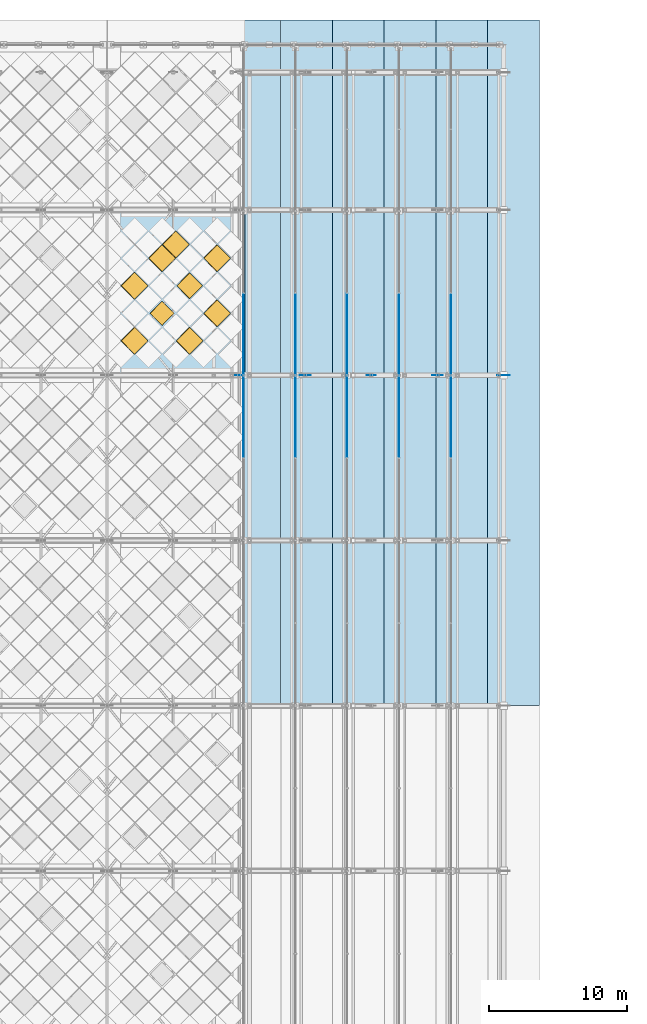
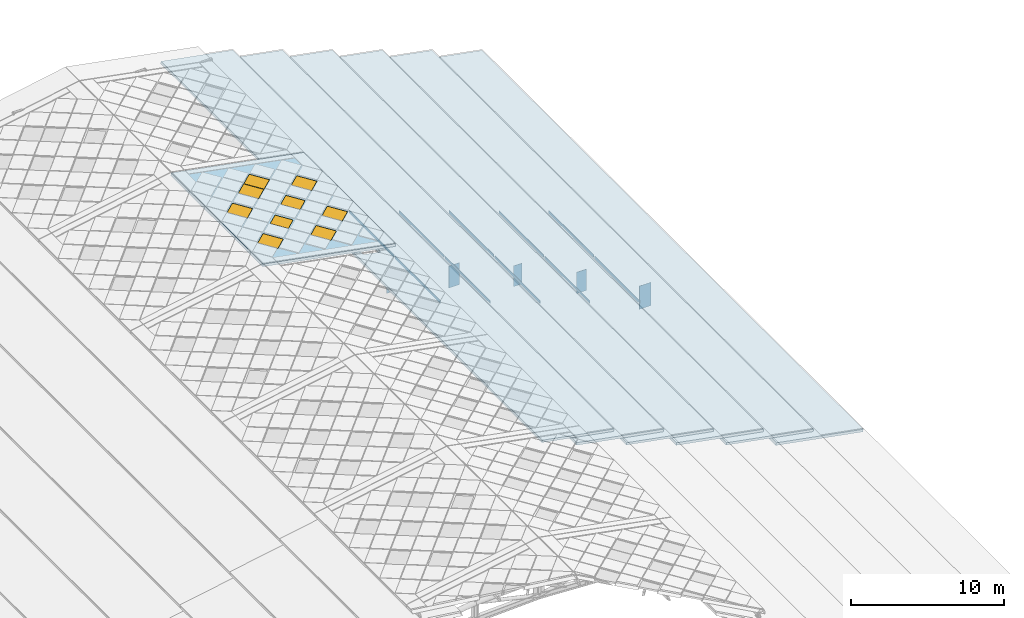
# One storey, part 96 of 117: 15 plates, 9 windows, 7 slabs, 9 openings, 10 elements without a shape of their own.
"""IFC4 building model written with IfcOpenShell, lengths in metres."""

from ifc_helpers import new_model, si_unit, direction, frame, origin, origin_2d, place, context, subcontext, project, spatial, polyline, rectangle, outline, extrude, material, layer, layer_set, type_object, element, fill, aggregate, save


model = new_model("IFC4")

# Units and contexts
model_context = context("Model", 3, precision=1e-05, world=origin(), true_north=direction((0.0, 1.0)))
body_context = subcontext(model_context, "Body", "Model", "MODEL_VIEW")
ifc_project = project(units=[si_unit("LENGTHUNIT", "METRE"), si_unit("AREAUNIT", "SQUARE_METRE"), si_unit("VOLUMEUNIT", "CUBIC_METRE"), si_unit("PLANEANGLEUNIT", "RADIAN"), si_unit("MASSUNIT", "GRAM", prefix="KILO")], contexts=[model_context])

# Site, building, storey
site_placement = place(None, origin())
site = spatial("IfcSite", under=ifc_project, at=site_placement, CompositionType="ELEMENT")
building_placement = place(site_placement, origin())
building = spatial("IfcBuilding", under=site, at=building_placement, Name="Merenkruunu Market Hall", CompositionType="ELEMENT")
storey_placement = place(building_placement, frame((0.0, 0.0, 22.800048828125)))
storey = spatial("IfcBuildingStorey", under=building, at=storey_placement, Name="RF", CompositionType="ELEMENT", Elevation=22.800048828125)

# Curtain wall, plate
ifc_material_1 = material(Name="Powder-coated aluminium", Category="aluminium")
curtain_wall_type = type_object("IfcCurtainWallType", Name="Clerestory Curtain Band CL05", PredefinedType="USERDEFINED", material=ifc_material_1)
curtain_wall_1_placement = place(storey_placement, origin())
curtain_wall_1 = element("IfcCurtainWall", 1, at=curtain_wall_1_placement, inside=storey, type_object=curtain_wall_type, Name="CW-RF-CWM04-086", ObjectType="CLERESTORY_BAND", PredefinedType="USERDEFINED")
ifc_material_2 = material(Name="Triple low-E insulated glass", Category="glass")
ifc_layer_1 = layer(ifc_material_2, 0.035888671875)
ifc_layer_set_1 = layer_set([ifc_layer_1], Name="Triple low-E insulated glass")
plate_type_1 = type_object("IfcPlateType", Name="Curtain Wall Glazing Panel CWP08", PredefinedType="CURTAIN_PANEL", material=ifc_layer_set_1)
plate_1_placement = place(storey_placement, frame((53.760009765625, 84.58251953125, -6.462158203125), z_axis=(0.0, 0.0, 1.0), x_axis=(0.0, -1.0, 0.0)))
plate_1 = element("IfcPlate", 2, at=plate_1_placement, type_object=plate_type_1, Name="CL05 panel 1.1", PredefinedType="CURTAIN_PANEL", context=body_context, shape_type="SweptSolid", body=[
    extrude(rectangle(XDim=5.89501953125, YDim=0.035888671875, at=origin_2d()), origin(), (0.0, 0.0, 1.0), 0.22802734375),
])
aggregate(curtain_wall_1, [plate_1])

curtain_wall_2_placement = place(storey_placement, origin())
curtain_wall_2 = element("IfcCurtainWall", 3, at=curtain_wall_2_placement, inside=storey, type_object=curtain_wall_type, Name="CW-RF-CWM04-088", ObjectType="CLERESTORY_BAND", PredefinedType="USERDEFINED")
plate_2_placement = place(storey_placement, frame((53.760009765625, 90.592529296875, -6.462158203125), z_axis=(0.0, 0.0, 1.0), x_axis=(0.0, -1.0, 0.0)))
plate_2 = element("IfcPlate", 4, at=plate_2_placement, type_object=plate_type_1, Name="CL05 panel 4.1", PredefinedType="CURTAIN_PANEL", context=body_context, shape_type="SweptSolid", body=[
    extrude(rectangle(XDim=5.844970703125, YDim=0.035888671875, at=origin_2d()), origin(), (0.0, 0.0, 1.0), 0.22802734375),
])
aggregate(curtain_wall_2, [plate_2])

curtain_wall_3_placement = place(storey_placement, origin())
curtain_wall_3 = element("IfcCurtainWall", 5, at=curtain_wall_3_placement, inside=storey, type_object=curtain_wall_type, Name="CW-RF-CWM04-094", ObjectType="CLERESTORY_BAND", PredefinedType="USERDEFINED")
plate_3_placement = place(storey_placement, frame((50.0, 84.58251953125, -5.14208984375), z_axis=(0.0, 0.0, 1.0), x_axis=(0.0, -1.0, 0.0)))
plate_3 = element("IfcPlate", 6, at=plate_3_placement, type_object=plate_type_1, Name="CL05 panel 1.1", PredefinedType="CURTAIN_PANEL", context=body_context, shape_type="SweptSolid", body=[
    extrude(rectangle(XDim=5.89501953125, YDim=0.035888671875, at=origin_2d()), origin(), (0.0, 0.0, 1.0), 0.20703125),
])
aggregate(curtain_wall_3, [plate_3])

curtain_wall_4_placement = place(storey_placement, origin())
curtain_wall_4 = element("IfcCurtainWall", 7, at=curtain_wall_4_placement, inside=storey, type_object=curtain_wall_type, Name="CW-RF-CWM04-096", ObjectType="CLERESTORY_BAND", PredefinedType="USERDEFINED")
plate_4_placement = place(storey_placement, frame((50.0, 90.592529296875, -5.14208984375), z_axis=(0.0, 0.0, 1.0), x_axis=(0.0, -1.0, 0.0)))
plate_4 = element("IfcPlate", 8, at=plate_4_placement, type_object=plate_type_1, Name="CL05 panel 4.1", PredefinedType="CURTAIN_PANEL", context=body_context, shape_type="SweptSolid", body=[
    extrude(rectangle(XDim=5.844970703125, YDim=0.035888671875, at=origin_2d()), origin(), (0.0, 0.0, 1.0), 0.20703125),
])
aggregate(curtain_wall_4, [plate_4])

curtain_wall_5_placement = place(storey_placement, origin())
curtain_wall_5 = element("IfcCurtainWall", 9, at=curtain_wall_5_placement, inside=storey, type_object=curtain_wall_type, Name="CW-RF-CWM04-102", ObjectType="CLERESTORY_BAND", PredefinedType="USERDEFINED")
plate_5_placement = place(storey_placement, frame((46.239990234375, 84.58251953125, -3.822021484375), z_axis=(0.0, 0.0, 1.0), x_axis=(0.0, -1.0, 0.0)))
plate_5 = element("IfcPlate", 10, at=plate_5_placement, type_object=plate_type_1, Name="CL05 panel 1.1", PredefinedType="CURTAIN_PANEL", context=body_context, shape_type="SweptSolid", body=[
    extrude(rectangle(XDim=5.89501953125, YDim=0.035888671875, at=origin_2d()), origin(), (0.0, 0.0, 1.0), 0.22802734375),
])
aggregate(curtain_wall_5, [plate_5])

curtain_wall_6_placement = place(storey_placement, origin())
curtain_wall_6 = element("IfcCurtainWall", 11, at=curtain_wall_6_placement, inside=storey, type_object=curtain_wall_type, Name="CW-RF-CWM04-104", ObjectType="CLERESTORY_BAND", PredefinedType="USERDEFINED")
plate_6_placement = place(storey_placement, frame((46.239990234375, 90.592529296875, -3.822021484375), z_axis=(0.0, 0.0, 1.0), x_axis=(0.0, -1.0, 0.0)))
plate_6 = element("IfcPlate", 12, at=plate_6_placement, type_object=plate_type_1, Name="CL05 panel 4.1", PredefinedType="CURTAIN_PANEL", context=body_context, shape_type="SweptSolid", body=[
    extrude(rectangle(XDim=5.844970703125, YDim=0.035888671875, at=origin_2d()), origin(), (0.0, 0.0, 1.0), 0.22802734375),
])
aggregate(curtain_wall_6, [plate_6])

curtain_wall_7_placement = place(storey_placement, origin())
curtain_wall_7 = element("IfcCurtainWall", 13, at=curtain_wall_7_placement, inside=storey, type_object=curtain_wall_type, Name="CW-RF-CWM04-110", ObjectType="CLERESTORY_BAND", PredefinedType="USERDEFINED")
plate_7_placement = place(storey_placement, frame((42.47998046875, 84.58251953125, -2.501953125), z_axis=(0.0, 0.0, 1.0), x_axis=(0.0, -1.0, 0.0)))
plate_7 = element("IfcPlate", 14, at=plate_7_placement, type_object=plate_type_1, Name="CL05 panel 1.1", PredefinedType="CURTAIN_PANEL", context=body_context, shape_type="SweptSolid", body=[
    extrude(rectangle(XDim=5.89501953125, YDim=0.035888671875, at=origin_2d()), origin(), (0.0, 0.0, 1.0), 0.20703125),
])
aggregate(curtain_wall_7, [plate_7])

curtain_wall_8_placement = place(storey_placement, origin())
curtain_wall_8 = element("IfcCurtainWall", 15, at=curtain_wall_8_placement, inside=storey, type_object=curtain_wall_type, Name="CW-RF-CWM04-112", ObjectType="CLERESTORY_BAND", PredefinedType="USERDEFINED")
plate_8_placement = place(storey_placement, frame((42.47998046875, 90.592529296875, -2.501953125), z_axis=(0.0, 0.0, 1.0), x_axis=(0.0, -1.0, 0.0)))
plate_8 = element("IfcPlate", 16, at=plate_8_placement, type_object=plate_type_1, Name="CL05 panel 4.1", PredefinedType="CURTAIN_PANEL", context=body_context, shape_type="SweptSolid", body=[
    extrude(rectangle(XDim=5.844970703125, YDim=0.035888671875, at=origin_2d()), origin(), (0.0, 0.0, 1.0), 0.20703125),
])
aggregate(curtain_wall_8, [plate_8])

curtain_wall_9_placement = place(storey_placement, origin())
curtain_wall_9 = element("IfcCurtainWall", 17, at=curtain_wall_9_placement, inside=storey, type_object=curtain_wall_type, Name="CW-RF-CWM04-118", ObjectType="CLERESTORY_BAND", PredefinedType="USERDEFINED")
plate_9_placement = place(storey_placement, frame((38.719970703125, 84.58251953125, -1.18212890625), z_axis=(0.0, 0.0, 1.0), x_axis=(0.0, -1.0, 0.0)))
plate_9 = element("IfcPlate", 18, at=plate_9_placement, type_object=plate_type_1, Name="CL05 panel 1.1", PredefinedType="CURTAIN_PANEL", context=body_context, shape_type="SweptSolid", body=[
    extrude(rectangle(XDim=5.89501953125, YDim=0.035888671875, at=origin_2d()), origin(), (0.0, 0.0, 1.0), 0.22802734375),
])
aggregate(curtain_wall_9, [plate_9])

curtain_wall_10_placement = place(storey_placement, origin())
curtain_wall_10 = element("IfcCurtainWall", 19, at=curtain_wall_10_placement, inside=storey, type_object=curtain_wall_type, Name="CW-RF-CWM04-120", ObjectType="CLERESTORY_BAND", PredefinedType="USERDEFINED")
plate_10_placement = place(storey_placement, frame((38.719970703125, 90.592529296875, -1.18212890625), z_axis=(0.0, 0.0, 1.0), x_axis=(0.0, -1.0, 0.0)))
plate_10 = element("IfcPlate", 20, at=plate_10_placement, type_object=plate_type_1, Name="CL05 panel 4.1", PredefinedType="CURTAIN_PANEL", context=body_context, shape_type="SweptSolid", body=[
    extrude(rectangle(XDim=5.844970703125, YDim=0.035888671875, at=origin_2d()), origin(), (0.0, 0.0, 1.0), 0.22802734375),
])
aggregate(curtain_wall_10, [plate_10])

# Slabs
ifc_material_3 = material(Name="High-albedo white roof Steel S355ML", Category="steel")
ifc_layer_2 = layer(ifc_material_3, 0.199951171875)
ifc_layer_set_2 = layer_set([ifc_layer_2], Name="High-albedo white roof Steel S355ML")
slab_type_1 = type_object("IfcSlabType", Name="Sloped Or Flat Roof Deck RS01", PredefinedType="ROOF", material=ifc_layer_set_2)
slab_1_placement = place(storey_placement, frame((53.639892578125, 63.60009765625, -6.584228515625), z_axis=(0.182233397966, 0.0, 0.983255301875), x_axis=(0.983255301875, 0.0, -0.182233397966)))
element("IfcSlab", 21, at=slab_1_placement, inside=storey, type_object=slab_type_1, Name="SL-ROOF-V1-TE1-N", PredefinedType="ROOF", context=body_context, shape_type="SweptSolid", body=[
    extrude(outline(polyline([(0.0, 0.0), (6.671775459779865, 0.0), (6.671775459779865, 49.7998046875), (0.0, 49.7998046875), (0.0, 0.0)]), holes=[polyline([(0.5084895791185551, 24.25), (1.830726170836341, 24.25), (1.830726170836341, 25.5498046875), (0.5084895791185551, 25.5498046875), (0.5084895791185551, 24.25)])]), origin(), (0.0, 0.0, -1.0), 0.199951171875),
])
slab_2_placement = place(storey_placement, frame((46.1201171875, 63.60009765625, -3.9443359375), z_axis=(0.182239955012, 0.0, 0.983254086591), x_axis=(0.983254086591, 0.0, -0.182239955012)))
element("IfcSlab", 22, at=slab_2_placement, inside=storey, type_object=slab_type_1, Name="SL-ROOF-V1-TE3-N", PredefinedType="ROOF", context=body_context, shape_type="SweptSolid", body=[
    extrude(outline(polyline([(0.0, 0.0), (6.671535407364279, 0.0), (6.671535407364279, 49.7998046875), (0.0, 49.7998046875), (0.0, 0.0)]), holes=[polyline([(0.5084895781951198, 24.25), (1.8304416271710706, 24.25), (1.8304416271710706, 25.5498046875), (0.5084895781951198, 25.5498046875), (0.5084895781951198, 24.25)])]), origin(), (0.0, 0.0, -1.0), 0.199951171875),
])
slab_3_placement = place(storey_placement, frame((38.60009765625, 63.60009765625, -1.30419921875), z_axis=(0.182239955012, 0.0, 0.983254086591), x_axis=(0.983254086591, 0.0, -0.182239955012)))
element("IfcSlab", 23, at=slab_3_placement, inside=storey, type_object=slab_type_1, Name="SL-ROOF-V1-TE5-N", PredefinedType="ROOF", context=body_context, shape_type="SweptSolid", body=[
    extrude(outline(polyline([(0.0, 0.0), (6.671535407364279, 0.0), (6.671535407364279, 49.7998046875), (0.0, 49.7998046875), (0.0, 0.0)]), holes=[polyline([(0.5084895781951198, 24.25), (1.8304861193475872, 24.25), (1.8304861193475872, 25.5498046875), (0.5084895781951198, 25.5498046875), (0.5084895781951198, 24.25)])]), origin(), (0.0, 0.0, -1.0), 0.199951171875),
])

# Slab, openings, windows
slab_4_placement = place(storey_placement, frame((28.800048828125, 87.60009765625, 1.800048828125), z_axis=(0.184775267092, 0.0, 0.98278079991), x_axis=(0.98278079991, 0.0, -0.184775267092)))
slab_4 = element("IfcSlab", 24, at=slab_4_placement, inside=storey, type_object=slab_type_1, Name="SL-ROOF-V1-CROWN-E-07", PredefinedType="ROOF", context=body_context, shape_type="SweptSolid", body=[
    extrude(outline(polyline([(0.0, 0.0), (10.175208959027184, 0.0), (10.175208959027184, 12.0), (0.0, 12.0), (0.0, 0.0)])), origin(), (0.0, 0.0, -1.0), 0.199951171875),
])
opening_1_placement = place(slab_4_placement, frame((2.034912109375, 2.5, 0.0), z_axis=(0.0, 0.0, 1.0), x_axis=(0.707106781187, 0.707106781187, 0.0)))
opening_1 = element("IfcOpeningElement", 25, at=opening_1_placement, cuts=slab_4, Name="Opening SK01", PredefinedType="OPENING", context=body_context, shape_type="SweptSolid", body=[
    extrude(rectangle(XDim=1.3798828125, YDim=1.3798828125, at=origin_2d()), frame((0.0, 0.0, 0.014892578125), z_axis=(0.0, 0.0, -1.0), x_axis=(1.0, 0.0, 0.0)), (0.0, 0.0, 1.0), 0.229736328125),
])
opening_2_placement = place(slab_4_placement, frame((2.034912109375, 6.5, 0.0), z_axis=(0.0, 0.0, 1.0), x_axis=(0.707106781187, 0.707106781187, 0.0)))
opening_2 = element("IfcOpeningElement", 26, at=opening_2_placement, cuts=slab_4, Name="Opening SK01", PredefinedType="OPENING", context=body_context, shape_type="SweptSolid", body=[
    extrude(rectangle(XDim=1.3798828125, YDim=1.3798828125, at=origin_2d()), frame((0.0, 0.0, 0.014892578125), z_axis=(0.0, 0.0, -1.0), x_axis=(1.0, 0.0, 0.0)), (0.0, 0.0, 1.0), 0.229736328125),
])
opening_3_placement = place(slab_4_placement, frame((4.070068359375, 4.5, -0.000244140625), z_axis=(0.0, 0.0, 1.0), x_axis=(0.707106781187, 0.707106781187, 0.0)))
opening_3 = element("IfcOpeningElement", 27, at=opening_3_placement, cuts=slab_4, Name="Opening SK03", PredefinedType="OPENING", context=body_context, shape_type="SweptSolid", body=[
    extrude(rectangle(XDim=1.239990234375, YDim=1.239990234375, at=origin_2d()), frame((0.0, 0.0, 0.014892578125), z_axis=(0.0, 0.0, -1.0), x_axis=(1.0, 0.0, 0.0)), (0.0, 0.0, 1.0), 0.229736328125),
])
opening_4_placement = place(slab_4_placement, frame((4.070068359375, 8.5, -0.000244140625), z_axis=(0.0, 0.0, 1.0), x_axis=(0.707106781187, 0.707106781187, 0.0)))
opening_4 = element("IfcOpeningElement", 28, at=opening_4_placement, cuts=slab_4, Name="Opening SK01", PredefinedType="OPENING", context=body_context, shape_type="SweptSolid", body=[
    extrude(rectangle(XDim=1.3798828125, YDim=1.3798828125, at=origin_2d()), frame((0.0, 0.0, 0.014892578125), z_axis=(0.0, 0.0, -1.0), x_axis=(1.0, 0.0, 0.0)), (0.0, 0.0, 1.0), 0.229736328125),
])
opening_5_placement = place(slab_4_placement, frame((5.087646484375, 9.5, 0.0), z_axis=(0.0, 0.0, 1.0), x_axis=(0.707106781187, 0.707106781187, 0.0)))
opening_5 = element("IfcOpeningElement", 29, at=opening_5_placement, cuts=slab_4, Name="Opening SK01", PredefinedType="OPENING", context=body_context, shape_type="SweptSolid", body=[
    extrude(rectangle(XDim=1.3798828125, YDim=1.3798828125, at=origin_2d()), frame((0.0, 0.0, 0.014892578125), z_axis=(0.0, 0.0, -1.0), x_axis=(1.0, 0.0, 0.0)), (0.0, 0.0, 1.0), 0.229736328125),
])
opening_6_placement = place(slab_4_placement, frame((6.105224609375, 2.5, 0.0), z_axis=(0.0, 0.0, 1.0), x_axis=(0.707106781187, 0.707106781187, 0.0)))
opening_6 = element("IfcOpeningElement", 30, at=opening_6_placement, cuts=slab_4, Name="Opening SK01", PredefinedType="OPENING", context=body_context, shape_type="SweptSolid", body=[
    extrude(rectangle(XDim=1.3798828125, YDim=1.3798828125, at=origin_2d()), frame((0.0, 0.0, 0.014892578125), z_axis=(0.0, 0.0, -1.0), x_axis=(1.0, 0.0, 0.0)), (0.0, 0.0, 1.0), 0.229736328125),
])
opening_7_placement = place(slab_4_placement, frame((6.105224609375, 6.5, 0.0), z_axis=(0.0, 0.0, 1.0), x_axis=(0.707106781187, 0.707106781187, 0.0)))
opening_7 = element("IfcOpeningElement", 31, at=opening_7_placement, cuts=slab_4, Name="Opening SK02", PredefinedType="OPENING", context=body_context, shape_type="SweptSolid", body=[
    extrude(rectangle(XDim=1.320068359375, YDim=1.320068359375, at=origin_2d()), frame((0.0, 0.0, 0.014892578125), z_axis=(0.0, 0.0, -1.0), x_axis=(1.0, 0.0, 0.0)), (0.0, 0.0, 1.0), 0.229736328125),
])
opening_8_placement = place(slab_4_placement, frame((8.14013671875, 4.5, 0.0), z_axis=(0.0, 0.0, 1.0), x_axis=(0.707106781187, 0.707106781187, 0.0)))
opening_8 = element("IfcOpeningElement", 32, at=opening_8_placement, cuts=slab_4, Name="Opening SK01", PredefinedType="OPENING", context=body_context, shape_type="SweptSolid", body=[
    extrude(rectangle(XDim=1.3798828125, YDim=1.3798828125, at=origin_2d()), frame((0.0, 0.0, 0.014892578125), z_axis=(0.0, 0.0, -1.0), x_axis=(1.0, 0.0, 0.0)), (0.0, 0.0, 1.0), 0.229736328125),
])
opening_9_placement = place(slab_4_placement, frame((8.14013671875, 8.5, 0.0), z_axis=(0.0, 0.0, 1.0), x_axis=(0.707106781187, 0.707106781187, 0.0)))
opening_9 = element("IfcOpeningElement", 33, at=opening_9_placement, cuts=slab_4, Name="Opening SK01", PredefinedType="OPENING", context=body_context, shape_type="SweptSolid", body=[
    extrude(rectangle(XDim=1.3798828125, YDim=1.3798828125, at=origin_2d()), frame((0.0, 0.0, 0.014892578125), z_axis=(0.0, 0.0, -1.0), x_axis=(1.0, 0.0, 0.0)), (0.0, 0.0, 1.0), 0.229736328125),
])
ifc_material_4 = material(Name="Diamond skylight blue triple glass", Category="glass")
ifc_layer_3 = layer(ifc_material_4, 0.094970703125)
ifc_layer_set_3 = layer_set([ifc_layer_3], Name="Diamond skylight blue triple glass")
window_type_1 = type_object("IfcWindowType", Name="Diamond Roof Skylight SK01", PartitioningType="SINGLE_PANEL", PredefinedType="SKYLIGHT", material=ifc_layer_set_3)
window_1_placement = place(opening_1_placement, origin())
window_1 = element("IfcWindow", 34, at=window_1_placement, inside=storey, type_object=window_type_1, Name="SKY-CROWN-118", OverallHeight=1.3798828125, OverallWidth=1.3798828125, PartitioningType="SINGLE_PANEL", PredefinedType="SKYLIGHT", context=body_context, shape_type="SweptSolid", body=[
    extrude(rectangle(XDim=1.3798828125, YDim=1.3798828125, at=origin_2d()), frame((0.0, 0.0, 0.0), z_axis=(0.0, 0.0, -1.0), x_axis=(1.0, 0.0, 0.0)), (0.0, 0.0, 1.0), 0.094970703125),
])
fill(opening_1, window_1)
window_2_placement = place(opening_2_placement, origin())
window_2 = element("IfcWindow", 35, at=window_2_placement, inside=storey, type_object=window_type_1, Name="SKY-CROWN-119", OverallHeight=1.3798828125, OverallWidth=1.3798828125, PartitioningType="SINGLE_PANEL", PredefinedType="SKYLIGHT", context=body_context, shape_type="SweptSolid", body=[
    extrude(rectangle(XDim=1.3798828125, YDim=1.3798828125, at=origin_2d()), frame((0.0, 0.0, 0.0), z_axis=(0.0, 0.0, -1.0), x_axis=(1.0, 0.0, 0.0)), (0.0, 0.0, 1.0), 0.094970703125),
])
fill(opening_2, window_2)
window_3_placement = place(opening_4_placement, origin())
window_3 = element("IfcWindow", 36, at=window_3_placement, inside=storey, type_object=window_type_1, Name="SKY-CROWN-121", OverallHeight=1.3798828125, OverallWidth=1.3798828125, PartitioningType="SINGLE_PANEL", PredefinedType="SKYLIGHT", context=body_context, shape_type="SweptSolid", body=[
    extrude(rectangle(XDim=1.3798828125, YDim=1.3798828125, at=origin_2d()), frame((0.0, 0.0, 0.0), z_axis=(0.0, 0.0, -1.0), x_axis=(1.0, 0.0, 0.0)), (0.0, 0.0, 1.0), 0.094970703125),
])
fill(opening_4, window_3)
window_4_placement = place(opening_5_placement, origin())
window_4 = element("IfcWindow", 37, at=window_4_placement, inside=storey, type_object=window_type_1, Name="SKY-CROWN-122", OverallHeight=1.3798828125, OverallWidth=1.3798828125, PartitioningType="SINGLE_PANEL", PredefinedType="SKYLIGHT", context=body_context, shape_type="SweptSolid", body=[
    extrude(rectangle(XDim=1.3798828125, YDim=1.3798828125, at=origin_2d()), frame((0.0, 0.0, 0.0), z_axis=(0.0, 0.0, -1.0), x_axis=(1.0, 0.0, 0.0)), (0.0, 0.0, 1.0), 0.094970703125),
])
fill(opening_5, window_4)
window_5_placement = place(opening_6_placement, origin())
window_5 = element("IfcWindow", 38, at=window_5_placement, inside=storey, type_object=window_type_1, Name="SKY-CROWN-123", OverallHeight=1.3798828125, OverallWidth=1.3798828125, PartitioningType="SINGLE_PANEL", PredefinedType="SKYLIGHT", context=body_context, shape_type="SweptSolid", body=[
    extrude(rectangle(XDim=1.3798828125, YDim=1.3798828125, at=origin_2d()), frame((0.0, 0.0, 0.0), z_axis=(0.0, 0.0, -1.0), x_axis=(1.0, 0.0, 0.0)), (0.0, 0.0, 1.0), 0.094970703125),
])
fill(opening_6, window_5)
window_6_placement = place(opening_8_placement, origin())
window_6 = element("IfcWindow", 39, at=window_6_placement, inside=storey, type_object=window_type_1, Name="SKY-CROWN-125", OverallHeight=1.3798828125, OverallWidth=1.3798828125, PartitioningType="SINGLE_PANEL", PredefinedType="SKYLIGHT", context=body_context, shape_type="SweptSolid", body=[
    extrude(rectangle(XDim=1.3798828125, YDim=1.3798828125, at=origin_2d()), frame((0.0, 0.0, 0.0), z_axis=(0.0, 0.0, -1.0), x_axis=(1.0, 0.0, 0.0)), (0.0, 0.0, 1.0), 0.094970703125),
])
fill(opening_8, window_6)
window_7_placement = place(opening_9_placement, origin())
window_7 = element("IfcWindow", 40, at=window_7_placement, inside=storey, type_object=window_type_1, Name="SKY-CROWN-126", OverallHeight=1.3798828125, OverallWidth=1.3798828125, PartitioningType="SINGLE_PANEL", PredefinedType="SKYLIGHT", context=body_context, shape_type="SweptSolid", body=[
    extrude(rectangle(XDim=1.3798828125, YDim=1.3798828125, at=origin_2d()), frame((0.0, 0.0, 0.0), z_axis=(0.0, 0.0, -1.0), x_axis=(1.0, 0.0, 0.0)), (0.0, 0.0, 1.0), 0.094970703125),
])
fill(opening_9, window_7)
ifc_layer_4 = layer(ifc_material_4, 0.094970703125)
ifc_layer_set_4 = layer_set([ifc_layer_4], Name="Diamond skylight blue triple glass")
window_type_2 = type_object("IfcWindowType", Name="Diamond Roof Skylight SK02", PartitioningType="SINGLE_PANEL", PredefinedType="SKYLIGHT", material=ifc_layer_set_4)
window_8_placement = place(opening_7_placement, origin())
window_8 = element("IfcWindow", 41, at=window_8_placement, inside=storey, type_object=window_type_2, Name="SKY-CROWN-124", OverallHeight=1.320068359375, OverallWidth=1.320068359375, PartitioningType="SINGLE_PANEL", PredefinedType="SKYLIGHT", context=body_context, shape_type="SweptSolid", body=[
    extrude(rectangle(XDim=1.320068359375, YDim=1.320068359375, at=origin_2d()), frame((0.0, 0.0, 0.0), z_axis=(0.0, 0.0, -1.0), x_axis=(1.0, 0.0, 0.0)), (0.0, 0.0, 1.0), 0.094970703125),
])
fill(opening_7, window_8)
ifc_layer_5 = layer(ifc_material_4, 0.094970703125)
ifc_layer_set_5 = layer_set([ifc_layer_5], Name="Diamond skylight blue triple glass")
window_type_3 = type_object("IfcWindowType", Name="Roof Smoke Vent Skylight SK03", PartitioningType="SINGLE_PANEL", PredefinedType="SKYLIGHT", material=ifc_layer_set_5)
window_9_placement = place(opening_3_placement, origin())
window_9 = element("IfcWindow", 42, at=window_9_placement, inside=storey, type_object=window_type_3, Name="SKY-CROWN-120", OverallHeight=1.239990234375, OverallWidth=1.239990234375, PartitioningType="SINGLE_PANEL", PredefinedType="SKYLIGHT", context=body_context, shape_type="SweptSolid", body=[
    extrude(rectangle(XDim=1.239990234375, YDim=1.239990234375, at=origin_2d()), frame((0.0, 0.0, 0.0), z_axis=(0.0, 0.0, -1.0), x_axis=(1.0, 0.0, 0.0)), (0.0, 0.0, 1.0), 0.094970703125),
])
fill(opening_3, window_9)

# Slabs
ifc_layer_6 = layer(ifc_material_3, 0.179931640625)
ifc_layer_set_6 = layer_set([ifc_layer_6], Name="High-albedo white roof Steel S355ML")
slab_type_2 = type_object("IfcSlabType", Name="Sloped Or Flat Roof Deck RS02", PredefinedType="ROOF", material=ifc_layer_set_6)
slab_5_placement = place(storey_placement, frame((49.8798828125, 63.60009765625, -5.26416015625), z_axis=(0.182233397966, 0.0, 0.983255301875), x_axis=(0.983255301875, 0.0, -0.182233397966)))
element("IfcSlab", 43, at=slab_5_placement, inside=storey, type_object=slab_type_2, Name="SL-ROOF-V1-TE2-N", PredefinedType="ROOF", context=body_context, shape_type="SweptSolid", body=[
    extrude(outline(polyline([(0.0, 0.0), (6.671775459779865, 0.0), (6.671775459779865, 49.7998046875), (0.0, 49.7998046875), (0.0, 0.0)]), holes=[polyline([(0.5085340696942303, 24.25), (1.830726170836341, 24.25), (1.830726170836341, 25.5498046875), (0.5085340696942303, 25.5498046875), (0.5085340696942303, 24.25)])]), origin(), (0.0, 0.0, -1.0), 0.179931640625),
])
slab_6_placement = place(storey_placement, frame((42.360107421875, 63.60009765625, -2.624267578125), z_axis=(0.182239955012, 0.0, 0.983254086591), x_axis=(0.983254086591, 0.0, -0.182239955012)))
element("IfcSlab", 44, at=slab_6_placement, inside=storey, type_object=slab_type_2, Name="SL-ROOF-V1-TE4-N", PredefinedType="ROOF", context=body_context, shape_type="SweptSolid", body=[
    extrude(outline(polyline([(0.0, 0.0), (6.671535407364279, 0.0), (6.671535407364279, 49.7998046875), (0.0, 49.7998046875), (0.0, 0.0)]), holes=[polyline([(0.5084895781951198, 24.25), (1.8304416271710706, 24.25), (1.8304416271710706, 25.5498046875), (0.5084895781951198, 25.5498046875), (0.5084895781951198, 24.25)])]), origin(), (0.0, 0.0, -1.0), 0.179931640625),
])
slab_7_placement = place(storey_placement, frame((36.0, 63.60009765625, -0.19921875), z_axis=(0.182221385649, 0.0, 0.983257528124), x_axis=(0.983257528124, 0.0, -0.182221385649)))
element("IfcSlab", 45, at=slab_7_placement, inside=storey, type_object=slab_type_2, Name="SL-ROOF-V1-TE6-N", PredefinedType="ROOF", context=body_context, shape_type="SweptSolid", body=[
    extrude(outline(polyline([(0.0, 0.0), (5.491849479203572, 0.0), (5.491849479203572, 49.7998046875), (0.0, 49.7998046875), (0.0, 0.0)]), holes=[polyline([(0.5084895807515987, 24.25), (1.8307261691989953, 24.25), (1.8307261691989953, 25.5498046875), (0.5084895807515987, 25.5498046875), (0.5084895807515987, 24.25)])]), origin(), (0.0, 0.0, -1.0), 0.179931640625),
])

# Plates
ifc_material_5 = material(Name="Steel S355ML", Category="steel")
ifc_layer_7 = layer(ifc_material_5, 0.030029296875)
ifc_layer_set_7 = layer_set([ifc_layer_7], Name="Steel S355ML")
plate_type_2 = type_object("IfcPlateType", Name="Truss Gusset Or Cap Plate TN01", PredefinedType="USERDEFINED", material=ifc_layer_set_7)
plate_11_placement = place(storey_placement, frame((57.60009765625, 87.60009765625, -11.72509765625), z_axis=(0.0, 0.0, 1.0), x_axis=(1.0, 0.0, 0.0)))
element("IfcPlate", 46, at=plate_11_placement, inside=storey, type_object=plate_type_2, Name="PLT-AT-7-NODE-12", ObjectType="GUSSET_PLATE", PredefinedType="USERDEFINED", context=body_context, shape_type="SweptSolid", body=[
    extrude(rectangle(XDim=0.89990234375, YDim=0.030029296875, at=origin_2d()), origin(), (0.0, 0.0, 1.0), 1.85009765625),
])
ifc_layer_8 = layer(ifc_material_5, 0.02490234375)
ifc_layer_set_8 = layer_set([ifc_layer_8], Name="Steel S355ML")
plate_type_3 = type_object("IfcPlateType", Name="Truss Gusset Or Cap Plate TN02", PredefinedType="USERDEFINED", material=ifc_layer_set_8)
plate_12_placement = place(storey_placement, frame((52.800048828125, 87.60009765625, -8.81591796875), z_axis=(0.0, 0.0, 1.0), x_axis=(1.0, 0.0, 0.0)))
element("IfcPlate", 47, at=plate_12_placement, inside=storey, type_object=plate_type_3, Name="PLT-AT-7-NODE-11", ObjectType="GUSSET_PLATE", PredefinedType="USERDEFINED", context=body_context, shape_type="SweptSolid", body=[
    extrude(rectangle(XDim=0.75, YDim=0.02490234375, at=origin_2d()), origin(), (0.0, 0.0, 1.0), 1.699951171875),
])
ifc_layer_9 = layer(ifc_material_5, 0.02490234375)
ifc_layer_set_9 = layer_set([ifc_layer_9], Name="Steel S355ML")
plate_type_4 = type_object("IfcPlateType", Name="Truss Gusset Or Cap Plate TN03", PredefinedType="USERDEFINED", material=ifc_layer_set_9)
plate_13_placement = place(storey_placement, frame((48.0, 87.60009765625, -6.595947265625), z_axis=(0.0, 0.0, 1.0), x_axis=(1.0, 0.0, 0.0)))
element("IfcPlate", 48, at=plate_13_placement, inside=storey, type_object=plate_type_4, Name="PLT-AT-7-NODE-10", ObjectType="GUSSET_PLATE", PredefinedType="USERDEFINED", context=body_context, shape_type="SweptSolid", body=[
    extrude(rectangle(XDim=0.64990234375, YDim=0.02490234375, at=origin_2d()), origin(), (0.0, 0.0, 1.0), 1.64990234375),
])
ifc_layer_10 = layer(ifc_material_5, 0.028076171875)
ifc_layer_set_10 = layer_set([ifc_layer_10], Name="Steel S355ML")
plate_type_5 = type_object("IfcPlateType", Name="Truss Gusset Or Cap Plate TN04", PredefinedType="USERDEFINED", material=ifc_layer_set_10)
plate_14_placement = place(storey_placement, frame((43.199951171875, 87.60009765625, -5.005126953125), z_axis=(0.0, 0.0, 1.0), x_axis=(1.0, 0.0, 0.0)))
element("IfcPlate", 49, at=plate_14_placement, inside=storey, type_object=plate_type_5, Name="PLT-AT-7-NODE-09", ObjectType="GUSSET_PLATE", PredefinedType="USERDEFINED", context=body_context, shape_type="SweptSolid", body=[
    extrude(rectangle(XDim=0.800048828125, YDim=0.028076171875, at=origin_2d()), origin(), (0.0, 0.0, 1.0), 1.75),
])
ifc_layer_11 = layer(ifc_material_5, 0.02197265625)
ifc_layer_set_11 = layer_set([ifc_layer_11], Name="Steel S355ML")
plate_type_6 = type_object("IfcPlateType", Name="Truss Gusset Or Cap Plate TN05", PredefinedType="USERDEFINED", material=ifc_layer_set_11)
plate_15_placement = place(storey_placement, frame((38.39990234375, 87.60009765625, -3.7900390625), z_axis=(0.0, 0.0, 1.0), x_axis=(1.0, 0.0, 0.0)))
element("IfcPlate", 50, at=plate_15_placement, inside=storey, type_object=plate_type_6, Name="PLT-AT-7-NODE-08", ObjectType="GUSSET_PLATE", PredefinedType="USERDEFINED", context=body_context, shape_type="SweptSolid", body=[
    extrude(rectangle(XDim=0.60009765625, YDim=0.02197265625, at=origin_2d()), origin(), (0.0, 0.0, 1.0), 1.60009765625),
])

save(model, "model.ifc")
